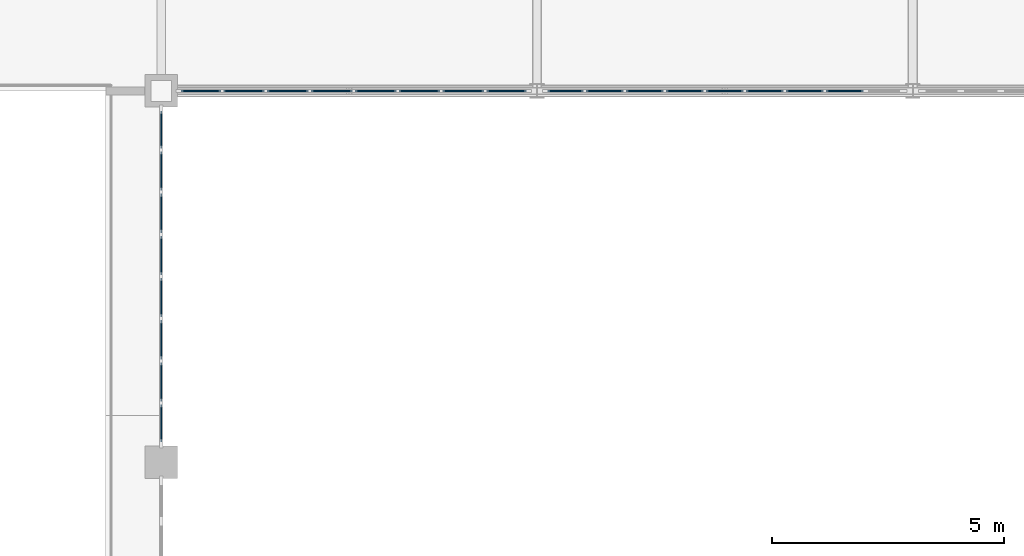
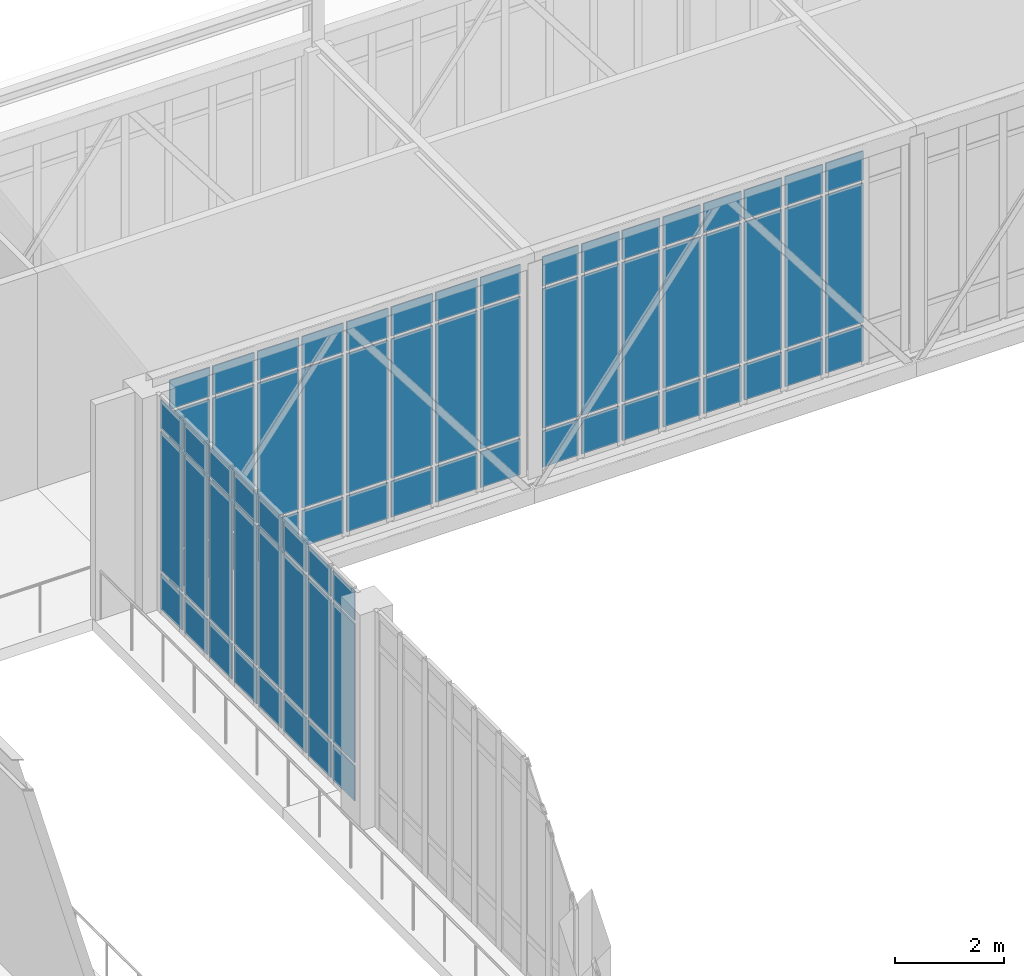
# One storey, part 72 of 107: 72 plates, 3 elements without a shape of their own.
"""IFC4 building model written with IfcOpenShell, lengths in metres."""

from ifc_helpers import new_model, si_unit, direction, frame, origin, origin_2d, place, context, subcontext, project, spatial, rectangle, extrude, material, layer, layer_set, type_object, element, aggregate, save


model = new_model("IFC4")

# Units and contexts
model_context = context("Model", 3, precision=1e-05, world=origin(), true_north=direction((0.0, 1.0)))
body_context = subcontext(model_context, "Body", "Model", "MODEL_VIEW")
ifc_project = project(units=[si_unit("LENGTHUNIT", "METRE"), si_unit("AREAUNIT", "SQUARE_METRE"), si_unit("VOLUMEUNIT", "CUBIC_METRE"), si_unit("PLANEANGLEUNIT", "RADIAN"), si_unit("MASSUNIT", "GRAM", prefix="KILO")], contexts=[model_context])

# Site, building, storey
site_placement = place(None, origin())
site = spatial("IfcSite", under=ifc_project, at=site_placement, CompositionType="ELEMENT")
building_placement = place(site_placement, origin())
building = spatial("IfcBuilding", under=site, at=building_placement, Name="Tarnveldt Square Police Headquarters", CompositionType="ELEMENT")
storey_placement = place(building_placement, frame((0.0, 0.0, 14.699951171875)))
storey = spatial("IfcBuildingStorey", under=building, at=storey_placement, Name="L03", CompositionType="ELEMENT", Elevation=14.699951171875)

# Curtain wall, plates
ifc_material = material(Name="Triple-glazed low-e laminated vision glass", Category="glass")
curtain_wall_type_1 = type_object("IfcCurtainWallType", Name="CW-WG-727x484", PredefinedType="USERDEFINED", material=ifc_material)
curtain_wall_1_placement = place(storey_placement, origin())
curtain_wall_1 = element("IfcCurtainWall", 1, at=curtain_wall_1_placement, inside=storey, type_object=curtain_wall_type_1, Name="L03 Curtain Wall CW-L03-080", ObjectType="GLAZED CURTAIN WALL", PredefinedType="USERDEFINED")
ifc_layer = layer(ifc_material, 0.028076171875)
ifc_layer_set = layer_set([ifc_layer], Name="Triple-glazed low-e laminated vision glass")
plate_type = type_object("IfcPlateType", Name="CWP-VIS-28", PredefinedType="CURTAIN_PANEL", material=ifc_layer_set)
plate_1_placement = place(storey_placement, frame((48.60009765625, 64.838134765625, 0.074951171875), z_axis=(0.0, 0.0, 1.0), x_axis=(0.0, 1.0, 0.0)))
plate_1 = element("IfcPlate", 2, at=plate_1_placement, type_object=plate_type, Name="CW-WG39 panel 1.1", PredefinedType="CURTAIN_PANEL", context=body_context, shape_type="SweptSolid", body=[
    extrude(rectangle(XDim=0.796142578125, YDim=0.028076171875, at=origin_2d()), origin(), (0.0, 0.0, 1.0), 0.78759765625),
])
plate_2_placement = place(storey_placement, frame((48.60009765625, 64.838134765625, 0.9375), z_axis=(0.0, 0.0, 1.0), x_axis=(0.0, 1.0, 0.0)))
plate_2 = element("IfcPlate", 3, at=plate_2_placement, type_object=plate_type, Name="CW-WG39 panel 1.2", PredefinedType="CURTAIN_PANEL", context=body_context, shape_type="SweptSolid", body=[
    extrude(rectangle(XDim=0.796142578125, YDim=0.028076171875, at=origin_2d()), origin(), (0.0, 0.0, 1.0), 3.114990234375),
])
plate_3_placement = place(storey_placement, frame((48.60009765625, 64.838134765625, 4.12744140625), z_axis=(0.0, 0.0, 1.0), x_axis=(0.0, 1.0, 0.0)))
plate_3 = element("IfcPlate", 4, at=plate_3_placement, type_object=plate_type, Name="CW-WG39 panel 1.3", PredefinedType="CURTAIN_PANEL", context=body_context, shape_type="SweptSolid", body=[
    extrude(rectangle(XDim=0.796142578125, YDim=0.028076171875, at=origin_2d()), origin(), (0.0, 0.0, 1.0), 0.637451171875),
])
plate_4_placement = place(storey_placement, frame((48.60009765625, 65.72802734375, 0.074951171875), z_axis=(0.0, 0.0, 1.0), x_axis=(0.0, 1.0, 0.0)))
plate_4 = element("IfcPlate", 5, at=plate_4_placement, type_object=plate_type, Name="CW-WG39 panel 2.1", PredefinedType="CURTAIN_PANEL", context=body_context, shape_type="SweptSolid", body=[
    extrude(rectangle(XDim=0.833740234375, YDim=0.028076171875, at=origin_2d()), origin(), (0.0, 0.0, 1.0), 0.78759765625),
])
plate_5_placement = place(storey_placement, frame((48.60009765625, 65.72802734375, 0.9375), z_axis=(0.0, 0.0, 1.0), x_axis=(0.0, 1.0, 0.0)))
plate_5 = element("IfcPlate", 6, at=plate_5_placement, type_object=plate_type, Name="CW-WG39 panel 2.2", PredefinedType="CURTAIN_PANEL", context=body_context, shape_type="SweptSolid", body=[
    extrude(rectangle(XDim=0.833740234375, YDim=0.028076171875, at=origin_2d()), origin(), (0.0, 0.0, 1.0), 3.114990234375),
])
plate_6_placement = place(storey_placement, frame((48.60009765625, 65.72802734375, 4.12744140625), z_axis=(0.0, 0.0, 1.0), x_axis=(0.0, 1.0, 0.0)))
plate_6 = element("IfcPlate", 7, at=plate_6_placement, type_object=plate_type, Name="CW-WG39 panel 2.3", PredefinedType="CURTAIN_PANEL", context=body_context, shape_type="SweptSolid", body=[
    extrude(rectangle(XDim=0.833740234375, YDim=0.028076171875, at=origin_2d()), origin(), (0.0, 0.0, 1.0), 0.637451171875),
])
plate_7_placement = place(storey_placement, frame((48.60009765625, 66.636962890625, 0.074951171875), z_axis=(0.0, 0.0, 1.0), x_axis=(0.0, 1.0, 0.0)))
plate_7 = element("IfcPlate", 8, at=plate_7_placement, type_object=plate_type, Name="CW-WG39 panel 3.1", PredefinedType="CURTAIN_PANEL", context=body_context, shape_type="SweptSolid", body=[
    extrude(rectangle(XDim=0.833740234375, YDim=0.028076171875, at=origin_2d()), origin(), (0.0, 0.0, 1.0), 0.78759765625),
])
plate_8_placement = place(storey_placement, frame((48.60009765625, 66.636962890625, 0.9375), z_axis=(0.0, 0.0, 1.0), x_axis=(0.0, 1.0, 0.0)))
plate_8 = element("IfcPlate", 9, at=plate_8_placement, type_object=plate_type, Name="CW-WG39 panel 3.2", PredefinedType="CURTAIN_PANEL", context=body_context, shape_type="SweptSolid", body=[
    extrude(rectangle(XDim=0.833740234375, YDim=0.028076171875, at=origin_2d()), origin(), (0.0, 0.0, 1.0), 3.114990234375),
])
plate_9_placement = place(storey_placement, frame((48.60009765625, 66.636962890625, 4.12744140625), z_axis=(0.0, 0.0, 1.0), x_axis=(0.0, 1.0, 0.0)))
plate_9 = element("IfcPlate", 10, at=plate_9_placement, type_object=plate_type, Name="CW-WG39 panel 3.3", PredefinedType="CURTAIN_PANEL", context=body_context, shape_type="SweptSolid", body=[
    extrude(rectangle(XDim=0.833740234375, YDim=0.028076171875, at=origin_2d()), origin(), (0.0, 0.0, 1.0), 0.637451171875),
])
plate_10_placement = place(storey_placement, frame((48.60009765625, 67.545654296875, 0.074951171875), z_axis=(0.0, 0.0, 1.0), x_axis=(0.0, 1.0, 0.0)))
plate_10 = element("IfcPlate", 11, at=plate_10_placement, type_object=plate_type, Name="CW-WG39 panel 4.1", PredefinedType="CURTAIN_PANEL", context=body_context, shape_type="SweptSolid", body=[
    extrude(rectangle(XDim=0.833740234375, YDim=0.028076171875, at=origin_2d()), origin(), (0.0, 0.0, 1.0), 0.78759765625),
])
plate_11_placement = place(storey_placement, frame((48.60009765625, 67.545654296875, 0.9375), z_axis=(0.0, 0.0, 1.0), x_axis=(0.0, 1.0, 0.0)))
plate_11 = element("IfcPlate", 12, at=plate_11_placement, type_object=plate_type, Name="CW-WG39 panel 4.2", PredefinedType="CURTAIN_PANEL", context=body_context, shape_type="SweptSolid", body=[
    extrude(rectangle(XDim=0.833740234375, YDim=0.028076171875, at=origin_2d()), origin(), (0.0, 0.0, 1.0), 3.114990234375),
])
plate_12_placement = place(storey_placement, frame((48.60009765625, 67.545654296875, 4.12744140625), z_axis=(0.0, 0.0, 1.0), x_axis=(0.0, 1.0, 0.0)))
plate_12 = element("IfcPlate", 13, at=plate_12_placement, type_object=plate_type, Name="CW-WG39 panel 4.3", PredefinedType="CURTAIN_PANEL", context=body_context, shape_type="SweptSolid", body=[
    extrude(rectangle(XDim=0.833740234375, YDim=0.028076171875, at=origin_2d()), origin(), (0.0, 0.0, 1.0), 0.637451171875),
])
plate_13_placement = place(storey_placement, frame((48.60009765625, 68.454345703125, 0.074951171875), z_axis=(0.0, 0.0, 1.0), x_axis=(0.0, 1.0, 0.0)))
plate_13 = element("IfcPlate", 14, at=plate_13_placement, type_object=plate_type, Name="CW-WG39 panel 5.1", PredefinedType="CURTAIN_PANEL", context=body_context, shape_type="SweptSolid", body=[
    extrude(rectangle(XDim=0.833740234375, YDim=0.028076171875, at=origin_2d()), origin(), (0.0, 0.0, 1.0), 0.78759765625),
])
plate_14_placement = place(storey_placement, frame((48.60009765625, 68.454345703125, 0.9375), z_axis=(0.0, 0.0, 1.0), x_axis=(0.0, 1.0, 0.0)))
plate_14 = element("IfcPlate", 15, at=plate_14_placement, type_object=plate_type, Name="CW-WG39 panel 5.2", PredefinedType="CURTAIN_PANEL", context=body_context, shape_type="SweptSolid", body=[
    extrude(rectangle(XDim=0.833740234375, YDim=0.028076171875, at=origin_2d()), origin(), (0.0, 0.0, 1.0), 3.114990234375),
])
plate_15_placement = place(storey_placement, frame((48.60009765625, 68.454345703125, 4.12744140625), z_axis=(0.0, 0.0, 1.0), x_axis=(0.0, 1.0, 0.0)))
plate_15 = element("IfcPlate", 16, at=plate_15_placement, type_object=plate_type, Name="CW-WG39 panel 5.3", PredefinedType="CURTAIN_PANEL", context=body_context, shape_type="SweptSolid", body=[
    extrude(rectangle(XDim=0.833740234375, YDim=0.028076171875, at=origin_2d()), origin(), (0.0, 0.0, 1.0), 0.637451171875),
])
plate_16_placement = place(storey_placement, frame((48.60009765625, 69.363037109375, 0.074951171875), z_axis=(0.0, 0.0, 1.0), x_axis=(0.0, 1.0, 0.0)))
plate_16 = element("IfcPlate", 17, at=plate_16_placement, type_object=plate_type, Name="CW-WG39 panel 6.1", PredefinedType="CURTAIN_PANEL", context=body_context, shape_type="SweptSolid", body=[
    extrude(rectangle(XDim=0.833740234375, YDim=0.028076171875, at=origin_2d()), origin(), (0.0, 0.0, 1.0), 0.78759765625),
])
plate_17_placement = place(storey_placement, frame((48.60009765625, 69.363037109375, 0.9375), z_axis=(0.0, 0.0, 1.0), x_axis=(0.0, 1.0, 0.0)))
plate_17 = element("IfcPlate", 18, at=plate_17_placement, type_object=plate_type, Name="CW-WG39 panel 6.2", PredefinedType="CURTAIN_PANEL", context=body_context, shape_type="SweptSolid", body=[
    extrude(rectangle(XDim=0.833740234375, YDim=0.028076171875, at=origin_2d()), origin(), (0.0, 0.0, 1.0), 3.114990234375),
])
plate_18_placement = place(storey_placement, frame((48.60009765625, 69.363037109375, 4.12744140625), z_axis=(0.0, 0.0, 1.0), x_axis=(0.0, 1.0, 0.0)))
plate_18 = element("IfcPlate", 19, at=plate_18_placement, type_object=plate_type, Name="CW-WG39 panel 6.3", PredefinedType="CURTAIN_PANEL", context=body_context, shape_type="SweptSolid", body=[
    extrude(rectangle(XDim=0.833740234375, YDim=0.028076171875, at=origin_2d()), origin(), (0.0, 0.0, 1.0), 0.637451171875),
])
plate_19_placement = place(storey_placement, frame((48.60009765625, 70.27197265625, 0.074951171875), z_axis=(0.0, 0.0, 1.0), x_axis=(0.0, 1.0, 0.0)))
plate_19 = element("IfcPlate", 20, at=plate_19_placement, type_object=plate_type, Name="CW-WG39 panel 7.1", PredefinedType="CURTAIN_PANEL", context=body_context, shape_type="SweptSolid", body=[
    extrude(rectangle(XDim=0.833740234375, YDim=0.028076171875, at=origin_2d()), origin(), (0.0, 0.0, 1.0), 0.78759765625),
])
plate_20_placement = place(storey_placement, frame((48.60009765625, 70.27197265625, 0.9375), z_axis=(0.0, 0.0, 1.0), x_axis=(0.0, 1.0, 0.0)))
plate_20 = element("IfcPlate", 21, at=plate_20_placement, type_object=plate_type, Name="CW-WG39 panel 7.2", PredefinedType="CURTAIN_PANEL", context=body_context, shape_type="SweptSolid", body=[
    extrude(rectangle(XDim=0.833740234375, YDim=0.028076171875, at=origin_2d()), origin(), (0.0, 0.0, 1.0), 3.114990234375),
])
plate_21_placement = place(storey_placement, frame((48.60009765625, 70.27197265625, 4.12744140625), z_axis=(0.0, 0.0, 1.0), x_axis=(0.0, 1.0, 0.0)))
plate_21 = element("IfcPlate", 22, at=plate_21_placement, type_object=plate_type, Name="CW-WG39 panel 7.3", PredefinedType="CURTAIN_PANEL", context=body_context, shape_type="SweptSolid", body=[
    extrude(rectangle(XDim=0.833740234375, YDim=0.028076171875, at=origin_2d()), origin(), (0.0, 0.0, 1.0), 0.637451171875),
])
plate_22_placement = place(storey_placement, frame((48.60009765625, 71.161865234375, 0.074951171875), z_axis=(0.0, 0.0, 1.0), x_axis=(0.0, 1.0, 0.0)))
plate_22 = element("IfcPlate", 23, at=plate_22_placement, type_object=plate_type, Name="CW-WG39 panel 8.1", PredefinedType="CURTAIN_PANEL", context=body_context, shape_type="SweptSolid", body=[
    extrude(rectangle(XDim=0.796142578125, YDim=0.028076171875, at=origin_2d()), origin(), (0.0, 0.0, 1.0), 0.78759765625),
])
plate_23_placement = place(storey_placement, frame((48.60009765625, 71.161865234375, 0.9375), z_axis=(0.0, 0.0, 1.0), x_axis=(0.0, 1.0, 0.0)))
plate_23 = element("IfcPlate", 24, at=plate_23_placement, type_object=plate_type, Name="CW-WG39 panel 8.2", PredefinedType="CURTAIN_PANEL", context=body_context, shape_type="SweptSolid", body=[
    extrude(rectangle(XDim=0.796142578125, YDim=0.028076171875, at=origin_2d()), origin(), (0.0, 0.0, 1.0), 3.114990234375),
])
plate_24_placement = place(storey_placement, frame((48.60009765625, 71.161865234375, 4.12744140625), z_axis=(0.0, 0.0, 1.0), x_axis=(0.0, 1.0, 0.0)))
plate_24 = element("IfcPlate", 25, at=plate_24_placement, type_object=plate_type, Name="CW-WG39 panel 8.3", PredefinedType="CURTAIN_PANEL", context=body_context, shape_type="SweptSolid", body=[
    extrude(rectangle(XDim=0.796142578125, YDim=0.028076171875, at=origin_2d()), origin(), (0.0, 0.0, 1.0), 0.637451171875),
])
aggregate(curtain_wall_1, [plate_1, plate_2, plate_3, plate_4, plate_5, plate_6, plate_7, plate_8, plate_9, plate_10, plate_11, plate_12, plate_13, plate_14, plate_15, plate_16, plate_17, plate_18, plate_19, plate_20, plate_21, plate_22, plate_23, plate_24])

curtain_wall_type_2 = type_object("IfcCurtainWallType", Name="CW-SB-757x484", PredefinedType="USERDEFINED", material=ifc_material)
curtain_wall_2_placement = place(storey_placement, origin())
curtain_wall_2 = element("IfcCurtainWall", 26, at=curtain_wall_2_placement, inside=storey, type_object=curtain_wall_type_2, Name="L03 Curtain Wall CW-L03-152", ObjectType="GLAZED CURTAIN WALL", PredefinedType="USERDEFINED")
plate_25_placement = place(storey_placement, frame((49.4541015625, 72.0, 0.06494140625), z_axis=(0.0, 0.0, 1.0), x_axis=(1.0, 0.0, 0.0)))
plate_25 = element("IfcPlate", 27, at=plate_25_placement, type_object=plate_type, Name="CW-SB89 panel 1.1", PredefinedType="CURTAIN_PANEL", context=body_context, shape_type="SweptSolid", body=[
    extrude(rectangle(XDim=0.84814453125, YDim=0.028076171875, at=origin_2d()), origin(), (0.0, 0.0, 1.0), 0.802490234375),
])
plate_26_placement = place(storey_placement, frame((49.4541015625, 72.0, 0.9326171875), z_axis=(0.0, 0.0, 1.0), x_axis=(1.0, 0.0, 0.0)))
plate_26 = element("IfcPlate", 28, at=plate_26_placement, type_object=plate_type, Name="CW-SB89 panel 1.2", PredefinedType="CURTAIN_PANEL", context=body_context, shape_type="SweptSolid", body=[
    extrude(rectangle(XDim=0.84814453125, YDim=0.028076171875, at=origin_2d()), origin(), (0.0, 0.0, 1.0), 3.125),
])
plate_27_placement = place(storey_placement, frame((49.4541015625, 72.0, 4.12255859375), z_axis=(0.0, 0.0, 1.0), x_axis=(1.0, 0.0, 0.0)))
plate_27 = element("IfcPlate", 29, at=plate_27_placement, type_object=plate_type, Name="CW-SB89 panel 1.3", PredefinedType="CURTAIN_PANEL", context=body_context, shape_type="SweptSolid", body=[
    extrude(rectangle(XDim=0.84814453125, YDim=0.028076171875, at=origin_2d()), origin(), (0.0, 0.0, 1.0), 0.652587890625),
])
plate_28_placement = place(storey_placement, frame((50.383544921875, 72.0, 0.06494140625), z_axis=(0.0, 0.0, 1.0), x_axis=(1.0, 0.0, 0.0)))
plate_28 = element("IfcPlate", 30, at=plate_28_placement, type_object=plate_type, Name="CW-SB89 panel 2.1", PredefinedType="CURTAIN_PANEL", context=body_context, shape_type="SweptSolid", body=[
    extrude(rectangle(XDim=0.880859375, YDim=0.028076171875, at=origin_2d()), origin(), (0.0, 0.0, 1.0), 0.802490234375),
])
plate_29_placement = place(storey_placement, frame((50.383544921875, 72.0, 0.9326171875), z_axis=(0.0, 0.0, 1.0), x_axis=(1.0, 0.0, 0.0)))
plate_29 = element("IfcPlate", 31, at=plate_29_placement, type_object=plate_type, Name="CW-SB89 panel 2.2", PredefinedType="CURTAIN_PANEL", context=body_context, shape_type="SweptSolid", body=[
    extrude(rectangle(XDim=0.880859375, YDim=0.028076171875, at=origin_2d()), origin(), (0.0, 0.0, 1.0), 3.125),
])
plate_30_placement = place(storey_placement, frame((50.383544921875, 72.0, 4.12255859375), z_axis=(0.0, 0.0, 1.0), x_axis=(1.0, 0.0, 0.0)))
plate_30 = element("IfcPlate", 32, at=plate_30_placement, type_object=plate_type, Name="CW-SB89 panel 2.3", PredefinedType="CURTAIN_PANEL", context=body_context, shape_type="SweptSolid", body=[
    extrude(rectangle(XDim=0.880859375, YDim=0.028076171875, at=origin_2d()), origin(), (0.0, 0.0, 1.0), 0.652587890625),
])
plate_31_placement = place(storey_placement, frame((51.329345703125, 72.0, 0.06494140625), z_axis=(0.0, 0.0, 1.0), x_axis=(1.0, 0.0, 0.0)))
plate_31 = element("IfcPlate", 33, at=plate_31_placement, type_object=plate_type, Name="CW-SB89 panel 3.1", PredefinedType="CURTAIN_PANEL", context=body_context, shape_type="SweptSolid", body=[
    extrude(rectangle(XDim=0.880859375, YDim=0.028076171875, at=origin_2d()), origin(), (0.0, 0.0, 1.0), 0.802490234375),
])
plate_32_placement = place(storey_placement, frame((51.329345703125, 72.0, 0.9326171875), z_axis=(0.0, 0.0, 1.0), x_axis=(1.0, 0.0, 0.0)))
plate_32 = element("IfcPlate", 34, at=plate_32_placement, type_object=plate_type, Name="CW-SB89 panel 3.2", PredefinedType="CURTAIN_PANEL", context=body_context, shape_type="SweptSolid", body=[
    extrude(rectangle(XDim=0.880859375, YDim=0.028076171875, at=origin_2d()), origin(), (0.0, 0.0, 1.0), 3.125),
])
plate_33_placement = place(storey_placement, frame((51.329345703125, 72.0, 4.12255859375), z_axis=(0.0, 0.0, 1.0), x_axis=(1.0, 0.0, 0.0)))
plate_33 = element("IfcPlate", 35, at=plate_33_placement, type_object=plate_type, Name="CW-SB89 panel 3.3", PredefinedType="CURTAIN_PANEL", context=body_context, shape_type="SweptSolid", body=[
    extrude(rectangle(XDim=0.880859375, YDim=0.028076171875, at=origin_2d()), origin(), (0.0, 0.0, 1.0), 0.652587890625),
])
plate_34_placement = place(storey_placement, frame((52.275146484375, 72.0, 0.06494140625), z_axis=(0.0, 0.0, 1.0), x_axis=(1.0, 0.0, 0.0)))
plate_34 = element("IfcPlate", 36, at=plate_34_placement, type_object=plate_type, Name="CW-SB89 panel 4.1", PredefinedType="CURTAIN_PANEL", context=body_context, shape_type="SweptSolid", body=[
    extrude(rectangle(XDim=0.880859375, YDim=0.028076171875, at=origin_2d()), origin(), (0.0, 0.0, 1.0), 0.802490234375),
])
plate_35_placement = place(storey_placement, frame((52.275146484375, 72.0, 0.9326171875), z_axis=(0.0, 0.0, 1.0), x_axis=(1.0, 0.0, 0.0)))
plate_35 = element("IfcPlate", 37, at=plate_35_placement, type_object=plate_type, Name="CW-SB89 panel 4.2", PredefinedType="CURTAIN_PANEL", context=body_context, shape_type="SweptSolid", body=[
    extrude(rectangle(XDim=0.880859375, YDim=0.028076171875, at=origin_2d()), origin(), (0.0, 0.0, 1.0), 3.125),
])
plate_36_placement = place(storey_placement, frame((52.275146484375, 72.0, 4.12255859375), z_axis=(0.0, 0.0, 1.0), x_axis=(1.0, 0.0, 0.0)))
plate_36 = element("IfcPlate", 38, at=plate_36_placement, type_object=plate_type, Name="CW-SB89 panel 4.3", PredefinedType="CURTAIN_PANEL", context=body_context, shape_type="SweptSolid", body=[
    extrude(rectangle(XDim=0.880859375, YDim=0.028076171875, at=origin_2d()), origin(), (0.0, 0.0, 1.0), 0.652587890625),
])
plate_37_placement = place(storey_placement, frame((53.220947265625, 72.0, 0.06494140625), z_axis=(0.0, 0.0, 1.0), x_axis=(1.0, 0.0, 0.0)))
plate_37 = element("IfcPlate", 39, at=plate_37_placement, type_object=plate_type, Name="CW-SB89 panel 5.1", PredefinedType="CURTAIN_PANEL", context=body_context, shape_type="SweptSolid", body=[
    extrude(rectangle(XDim=0.880859375, YDim=0.028076171875, at=origin_2d()), origin(), (0.0, 0.0, 1.0), 0.802490234375),
])
plate_38_placement = place(storey_placement, frame((53.220947265625, 72.0, 0.9326171875), z_axis=(0.0, 0.0, 1.0), x_axis=(1.0, 0.0, 0.0)))
plate_38 = element("IfcPlate", 40, at=plate_38_placement, type_object=plate_type, Name="CW-SB89 panel 5.2", PredefinedType="CURTAIN_PANEL", context=body_context, shape_type="SweptSolid", body=[
    extrude(rectangle(XDim=0.880859375, YDim=0.028076171875, at=origin_2d()), origin(), (0.0, 0.0, 1.0), 3.125),
])
plate_39_placement = place(storey_placement, frame((53.220947265625, 72.0, 4.12255859375), z_axis=(0.0, 0.0, 1.0), x_axis=(1.0, 0.0, 0.0)))
plate_39 = element("IfcPlate", 41, at=plate_39_placement, type_object=plate_type, Name="CW-SB89 panel 5.3", PredefinedType="CURTAIN_PANEL", context=body_context, shape_type="SweptSolid", body=[
    extrude(rectangle(XDim=0.880859375, YDim=0.028076171875, at=origin_2d()), origin(), (0.0, 0.0, 1.0), 0.652587890625),
])
plate_40_placement = place(storey_placement, frame((54.16650390625, 72.0, 0.06494140625), z_axis=(0.0, 0.0, 1.0), x_axis=(1.0, 0.0, 0.0)))
plate_40 = element("IfcPlate", 42, at=plate_40_placement, type_object=plate_type, Name="CW-SB89 panel 6.1", PredefinedType="CURTAIN_PANEL", context=body_context, shape_type="SweptSolid", body=[
    extrude(rectangle(XDim=0.880859375, YDim=0.028076171875, at=origin_2d()), origin(), (0.0, 0.0, 1.0), 0.802490234375),
])
plate_41_placement = place(storey_placement, frame((54.16650390625, 72.0, 0.9326171875), z_axis=(0.0, 0.0, 1.0), x_axis=(1.0, 0.0, 0.0)))
plate_41 = element("IfcPlate", 43, at=plate_41_placement, type_object=plate_type, Name="CW-SB89 panel 6.2", PredefinedType="CURTAIN_PANEL", context=body_context, shape_type="SweptSolid", body=[
    extrude(rectangle(XDim=0.880859375, YDim=0.028076171875, at=origin_2d()), origin(), (0.0, 0.0, 1.0), 3.125),
])
plate_42_placement = place(storey_placement, frame((54.16650390625, 72.0, 4.12255859375), z_axis=(0.0, 0.0, 1.0), x_axis=(1.0, 0.0, 0.0)))
plate_42 = element("IfcPlate", 44, at=plate_42_placement, type_object=plate_type, Name="CW-SB89 panel 6.3", PredefinedType="CURTAIN_PANEL", context=body_context, shape_type="SweptSolid", body=[
    extrude(rectangle(XDim=0.880859375, YDim=0.028076171875, at=origin_2d()), origin(), (0.0, 0.0, 1.0), 0.652587890625),
])
plate_43_placement = place(storey_placement, frame((55.1123046875, 72.0, 0.06494140625), z_axis=(0.0, 0.0, 1.0), x_axis=(1.0, 0.0, 0.0)))
plate_43 = element("IfcPlate", 45, at=plate_43_placement, type_object=plate_type, Name="CW-SB89 panel 7.1", PredefinedType="CURTAIN_PANEL", context=body_context, shape_type="SweptSolid", body=[
    extrude(rectangle(XDim=0.880859375, YDim=0.028076171875, at=origin_2d()), origin(), (0.0, 0.0, 1.0), 0.802490234375),
])
plate_44_placement = place(storey_placement, frame((55.1123046875, 72.0, 0.9326171875), z_axis=(0.0, 0.0, 1.0), x_axis=(1.0, 0.0, 0.0)))
plate_44 = element("IfcPlate", 46, at=plate_44_placement, type_object=plate_type, Name="CW-SB89 panel 7.2", PredefinedType="CURTAIN_PANEL", context=body_context, shape_type="SweptSolid", body=[
    extrude(rectangle(XDim=0.880859375, YDim=0.028076171875, at=origin_2d()), origin(), (0.0, 0.0, 1.0), 3.125),
])
plate_45_placement = place(storey_placement, frame((55.1123046875, 72.0, 4.12255859375), z_axis=(0.0, 0.0, 1.0), x_axis=(1.0, 0.0, 0.0)))
plate_45 = element("IfcPlate", 47, at=plate_45_placement, type_object=plate_type, Name="CW-SB89 panel 7.3", PredefinedType="CURTAIN_PANEL", context=body_context, shape_type="SweptSolid", body=[
    extrude(rectangle(XDim=0.880859375, YDim=0.028076171875, at=origin_2d()), origin(), (0.0, 0.0, 1.0), 0.652587890625),
])
plate_46_placement = place(storey_placement, frame((56.0419921875, 72.0, 0.06494140625), z_axis=(0.0, 0.0, 1.0), x_axis=(1.0, 0.0, 0.0)))
plate_46 = element("IfcPlate", 48, at=plate_46_placement, type_object=plate_type, Name="CW-SB89 panel 8.1", PredefinedType="CURTAIN_PANEL", context=body_context, shape_type="SweptSolid", body=[
    extrude(rectangle(XDim=0.84814453125, YDim=0.028076171875, at=origin_2d()), origin(), (0.0, 0.0, 1.0), 0.802490234375),
])
plate_47_placement = place(storey_placement, frame((56.0419921875, 72.0, 0.9326171875), z_axis=(0.0, 0.0, 1.0), x_axis=(1.0, 0.0, 0.0)))
plate_47 = element("IfcPlate", 49, at=plate_47_placement, type_object=plate_type, Name="CW-SB89 panel 8.2", PredefinedType="CURTAIN_PANEL", context=body_context, shape_type="SweptSolid", body=[
    extrude(rectangle(XDim=0.84814453125, YDim=0.028076171875, at=origin_2d()), origin(), (0.0, 0.0, 1.0), 3.125),
])
plate_48_placement = place(storey_placement, frame((56.0419921875, 72.0, 4.12255859375), z_axis=(0.0, 0.0, 1.0), x_axis=(1.0, 0.0, 0.0)))
plate_48 = element("IfcPlate", 50, at=plate_48_placement, type_object=plate_type, Name="CW-SB89 panel 8.3", PredefinedType="CURTAIN_PANEL", context=body_context, shape_type="SweptSolid", body=[
    extrude(rectangle(XDim=0.84814453125, YDim=0.028076171875, at=origin_2d()), origin(), (0.0, 0.0, 1.0), 0.652587890625),
])
aggregate(curtain_wall_2, [plate_25, plate_26, plate_27, plate_28, plate_29, plate_30, plate_31, plate_32, plate_33, plate_34, plate_35, plate_36, plate_37, plate_38, plate_39, plate_40, plate_41, plate_42, plate_43, plate_44, plate_45, plate_46, plate_47, plate_48])

curtain_wall_type_3 = type_object("IfcCurtainWallType", Name="CW-SB-776x484", PredefinedType="USERDEFINED", material=ifc_material)
curtain_wall_3_placement = place(storey_placement, origin())
curtain_wall_3 = element("IfcCurtainWall", 51, at=curtain_wall_3_placement, inside=storey, type_object=curtain_wall_type_3, Name="L03 Curtain Wall CW-L03-153", ObjectType="GLAZED CURTAIN WALL", PredefinedType="USERDEFINED")
plate_49_placement = place(storey_placement, frame((57.31640625, 72.0, 0.06494140625), z_axis=(0.0, 0.0, 1.0), x_axis=(1.0, 0.0, 0.0)))
plate_49 = element("IfcPlate", 52, at=plate_49_placement, type_object=plate_type, Name="CW-SB90 panel 1.1", PredefinedType="CURTAIN_PANEL", context=body_context, shape_type="SweptSolid", body=[
    extrude(rectangle(XDim=0.764892578125, YDim=0.028076171875, at=origin_2d()), origin(), (0.0, 0.0, 1.0), 0.802490234375),
])
plate_50_placement = place(storey_placement, frame((57.31640625, 72.0, 0.9326171875), z_axis=(0.0, 0.0, 1.0), x_axis=(1.0, 0.0, 0.0)))
plate_50 = element("IfcPlate", 53, at=plate_50_placement, type_object=plate_type, Name="CW-SB90 panel 1.2", PredefinedType="CURTAIN_PANEL", context=body_context, shape_type="SweptSolid", body=[
    extrude(rectangle(XDim=0.764892578125, YDim=0.028076171875, at=origin_2d()), origin(), (0.0, 0.0, 1.0), 3.125),
])
plate_51_placement = place(storey_placement, frame((57.31640625, 72.0, 4.12255859375), z_axis=(0.0, 0.0, 1.0), x_axis=(1.0, 0.0, 0.0)))
plate_51 = element("IfcPlate", 54, at=plate_51_placement, type_object=plate_type, Name="CW-SB90 panel 1.3", PredefinedType="CURTAIN_PANEL", context=body_context, shape_type="SweptSolid", body=[
    extrude(rectangle(XDim=0.764892578125, YDim=0.028076171875, at=origin_2d()), origin(), (0.0, 0.0, 1.0), 0.652587890625),
])
plate_52_placement = place(storey_placement, frame((58.16259765625, 72.0, 0.06494140625), z_axis=(0.0, 0.0, 1.0), x_axis=(1.0, 0.0, 0.0)))
plate_52 = element("IfcPlate", 55, at=plate_52_placement, type_object=plate_type, Name="CW-SB90 panel 2.1", PredefinedType="CURTAIN_PANEL", context=body_context, shape_type="SweptSolid", body=[
    extrude(rectangle(XDim=0.79736328125, YDim=0.028076171875, at=origin_2d()), origin(), (0.0, 0.0, 1.0), 0.802490234375),
])
plate_53_placement = place(storey_placement, frame((58.16259765625, 72.0, 0.9326171875), z_axis=(0.0, 0.0, 1.0), x_axis=(1.0, 0.0, 0.0)))
plate_53 = element("IfcPlate", 56, at=plate_53_placement, type_object=plate_type, Name="CW-SB90 panel 2.2", PredefinedType="CURTAIN_PANEL", context=body_context, shape_type="SweptSolid", body=[
    extrude(rectangle(XDim=0.79736328125, YDim=0.028076171875, at=origin_2d()), origin(), (0.0, 0.0, 1.0), 3.125),
])
plate_54_placement = place(storey_placement, frame((58.16259765625, 72.0, 4.12255859375), z_axis=(0.0, 0.0, 1.0), x_axis=(1.0, 0.0, 0.0)))
plate_54 = element("IfcPlate", 57, at=plate_54_placement, type_object=plate_type, Name="CW-SB90 panel 2.3", PredefinedType="CURTAIN_PANEL", context=body_context, shape_type="SweptSolid", body=[
    extrude(rectangle(XDim=0.79736328125, YDim=0.028076171875, at=origin_2d()), origin(), (0.0, 0.0, 1.0), 0.652587890625),
])
plate_55_placement = place(storey_placement, frame((59.025146484375, 72.0, 0.06494140625), z_axis=(0.0, 0.0, 1.0), x_axis=(1.0, 0.0, 0.0)))
plate_55 = element("IfcPlate", 58, at=plate_55_placement, type_object=plate_type, Name="CW-SB90 panel 3.1", PredefinedType="CURTAIN_PANEL", context=body_context, shape_type="SweptSolid", body=[
    extrude(rectangle(XDim=0.79736328125, YDim=0.028076171875, at=origin_2d()), origin(), (0.0, 0.0, 1.0), 0.802490234375),
])
plate_56_placement = place(storey_placement, frame((59.025146484375, 72.0, 0.9326171875), z_axis=(0.0, 0.0, 1.0), x_axis=(1.0, 0.0, 0.0)))
plate_56 = element("IfcPlate", 59, at=plate_56_placement, type_object=plate_type, Name="CW-SB90 panel 3.2", PredefinedType="CURTAIN_PANEL", context=body_context, shape_type="SweptSolid", body=[
    extrude(rectangle(XDim=0.79736328125, YDim=0.028076171875, at=origin_2d()), origin(), (0.0, 0.0, 1.0), 3.125),
])
plate_57_placement = place(storey_placement, frame((59.025146484375, 72.0, 4.12255859375), z_axis=(0.0, 0.0, 1.0), x_axis=(1.0, 0.0, 0.0)))
plate_57 = element("IfcPlate", 60, at=plate_57_placement, type_object=plate_type, Name="CW-SB90 panel 3.3", PredefinedType="CURTAIN_PANEL", context=body_context, shape_type="SweptSolid", body=[
    extrude(rectangle(XDim=0.79736328125, YDim=0.028076171875, at=origin_2d()), origin(), (0.0, 0.0, 1.0), 0.652587890625),
])
plate_58_placement = place(storey_placement, frame((59.887451171875, 72.0, 0.06494140625), z_axis=(0.0, 0.0, 1.0), x_axis=(1.0, 0.0, 0.0)))
plate_58 = element("IfcPlate", 61, at=plate_58_placement, type_object=plate_type, Name="CW-SB90 panel 4.1", PredefinedType="CURTAIN_PANEL", context=body_context, shape_type="SweptSolid", body=[
    extrude(rectangle(XDim=0.79736328125, YDim=0.028076171875, at=origin_2d()), origin(), (0.0, 0.0, 1.0), 0.802490234375),
])
plate_59_placement = place(storey_placement, frame((59.887451171875, 72.0, 0.9326171875), z_axis=(0.0, 0.0, 1.0), x_axis=(1.0, 0.0, 0.0)))
plate_59 = element("IfcPlate", 62, at=plate_59_placement, type_object=plate_type, Name="CW-SB90 panel 4.2", PredefinedType="CURTAIN_PANEL", context=body_context, shape_type="SweptSolid", body=[
    extrude(rectangle(XDim=0.79736328125, YDim=0.028076171875, at=origin_2d()), origin(), (0.0, 0.0, 1.0), 3.125),
])
plate_60_placement = place(storey_placement, frame((59.887451171875, 72.0, 4.12255859375), z_axis=(0.0, 0.0, 1.0), x_axis=(1.0, 0.0, 0.0)))
plate_60 = element("IfcPlate", 63, at=plate_60_placement, type_object=plate_type, Name="CW-SB90 panel 4.3", PredefinedType="CURTAIN_PANEL", context=body_context, shape_type="SweptSolid", body=[
    extrude(rectangle(XDim=0.79736328125, YDim=0.028076171875, at=origin_2d()), origin(), (0.0, 0.0, 1.0), 0.652587890625),
])
plate_61_placement = place(storey_placement, frame((60.75, 72.0, 0.06494140625), z_axis=(0.0, 0.0, 1.0), x_axis=(1.0, 0.0, 0.0)))
plate_61 = element("IfcPlate", 64, at=plate_61_placement, type_object=plate_type, Name="CW-SB90 panel 5.1", PredefinedType="CURTAIN_PANEL", context=body_context, shape_type="SweptSolid", body=[
    extrude(rectangle(XDim=0.79736328125, YDim=0.028076171875, at=origin_2d()), origin(), (0.0, 0.0, 1.0), 0.802490234375),
])
plate_62_placement = place(storey_placement, frame((60.75, 72.0, 0.9326171875), z_axis=(0.0, 0.0, 1.0), x_axis=(1.0, 0.0, 0.0)))
plate_62 = element("IfcPlate", 65, at=plate_62_placement, type_object=plate_type, Name="CW-SB90 panel 5.2", PredefinedType="CURTAIN_PANEL", context=body_context, shape_type="SweptSolid", body=[
    extrude(rectangle(XDim=0.79736328125, YDim=0.028076171875, at=origin_2d()), origin(), (0.0, 0.0, 1.0), 3.125),
])
plate_63_placement = place(storey_placement, frame((60.75, 72.0, 4.12255859375), z_axis=(0.0, 0.0, 1.0), x_axis=(1.0, 0.0, 0.0)))
plate_63 = element("IfcPlate", 66, at=plate_63_placement, type_object=plate_type, Name="CW-SB90 panel 5.3", PredefinedType="CURTAIN_PANEL", context=body_context, shape_type="SweptSolid", body=[
    extrude(rectangle(XDim=0.79736328125, YDim=0.028076171875, at=origin_2d()), origin(), (0.0, 0.0, 1.0), 0.652587890625),
])
plate_64_placement = place(storey_placement, frame((61.612548828125, 72.0, 0.06494140625), z_axis=(0.0, 0.0, 1.0), x_axis=(1.0, 0.0, 0.0)))
plate_64 = element("IfcPlate", 67, at=plate_64_placement, type_object=plate_type, Name="CW-SB90 panel 6.1", PredefinedType="CURTAIN_PANEL", context=body_context, shape_type="SweptSolid", body=[
    extrude(rectangle(XDim=0.79736328125, YDim=0.028076171875, at=origin_2d()), origin(), (0.0, 0.0, 1.0), 0.802490234375),
])
plate_65_placement = place(storey_placement, frame((61.612548828125, 72.0, 0.9326171875), z_axis=(0.0, 0.0, 1.0), x_axis=(1.0, 0.0, 0.0)))
plate_65 = element("IfcPlate", 68, at=plate_65_placement, type_object=plate_type, Name="CW-SB90 panel 6.2", PredefinedType="CURTAIN_PANEL", context=body_context, shape_type="SweptSolid", body=[
    extrude(rectangle(XDim=0.79736328125, YDim=0.028076171875, at=origin_2d()), origin(), (0.0, 0.0, 1.0), 3.125),
])
plate_66_placement = place(storey_placement, frame((61.612548828125, 72.0, 4.12255859375), z_axis=(0.0, 0.0, 1.0), x_axis=(1.0, 0.0, 0.0)))
plate_66 = element("IfcPlate", 69, at=plate_66_placement, type_object=plate_type, Name="CW-SB90 panel 6.3", PredefinedType="CURTAIN_PANEL", context=body_context, shape_type="SweptSolid", body=[
    extrude(rectangle(XDim=0.79736328125, YDim=0.028076171875, at=origin_2d()), origin(), (0.0, 0.0, 1.0), 0.652587890625),
])
plate_67_placement = place(storey_placement, frame((62.474853515625, 72.0, 0.06494140625), z_axis=(0.0, 0.0, 1.0), x_axis=(1.0, 0.0, 0.0)))
plate_67 = element("IfcPlate", 70, at=plate_67_placement, type_object=plate_type, Name="CW-SB90 panel 7.1", PredefinedType="CURTAIN_PANEL", context=body_context, shape_type="SweptSolid", body=[
    extrude(rectangle(XDim=0.79736328125, YDim=0.028076171875, at=origin_2d()), origin(), (0.0, 0.0, 1.0), 0.802490234375),
])
plate_68_placement = place(storey_placement, frame((62.474853515625, 72.0, 0.9326171875), z_axis=(0.0, 0.0, 1.0), x_axis=(1.0, 0.0, 0.0)))
plate_68 = element("IfcPlate", 71, at=plate_68_placement, type_object=plate_type, Name="CW-SB90 panel 7.2", PredefinedType="CURTAIN_PANEL", context=body_context, shape_type="SweptSolid", body=[
    extrude(rectangle(XDim=0.79736328125, YDim=0.028076171875, at=origin_2d()), origin(), (0.0, 0.0, 1.0), 3.125),
])
plate_69_placement = place(storey_placement, frame((62.474853515625, 72.0, 4.12255859375), z_axis=(0.0, 0.0, 1.0), x_axis=(1.0, 0.0, 0.0)))
plate_69 = element("IfcPlate", 72, at=plate_69_placement, type_object=plate_type, Name="CW-SB90 panel 7.3", PredefinedType="CURTAIN_PANEL", context=body_context, shape_type="SweptSolid", body=[
    extrude(rectangle(XDim=0.79736328125, YDim=0.028076171875, at=origin_2d()), origin(), (0.0, 0.0, 1.0), 0.652587890625),
])
plate_70_placement = place(storey_placement, frame((63.33740234375, 72.0, 0.06494140625), z_axis=(0.0, 0.0, 1.0), x_axis=(1.0, 0.0, 0.0)))
plate_70 = element("IfcPlate", 73, at=plate_70_placement, type_object=plate_type, Name="CW-SB90 panel 8.1", PredefinedType="CURTAIN_PANEL", context=body_context, shape_type="SweptSolid", body=[
    extrude(rectangle(XDim=0.79736328125, YDim=0.028076171875, at=origin_2d()), origin(), (0.0, 0.0, 1.0), 0.802490234375),
])
plate_71_placement = place(storey_placement, frame((63.33740234375, 72.0, 0.9326171875), z_axis=(0.0, 0.0, 1.0), x_axis=(1.0, 0.0, 0.0)))
plate_71 = element("IfcPlate", 74, at=plate_71_placement, type_object=plate_type, Name="CW-SB90 panel 8.2", PredefinedType="CURTAIN_PANEL", context=body_context, shape_type="SweptSolid", body=[
    extrude(rectangle(XDim=0.79736328125, YDim=0.028076171875, at=origin_2d()), origin(), (0.0, 0.0, 1.0), 3.125),
])
plate_72_placement = place(storey_placement, frame((63.33740234375, 72.0, 4.12255859375), z_axis=(0.0, 0.0, 1.0), x_axis=(1.0, 0.0, 0.0)))
plate_72 = element("IfcPlate", 75, at=plate_72_placement, type_object=plate_type, Name="CW-SB90 panel 8.3", PredefinedType="CURTAIN_PANEL", context=body_context, shape_type="SweptSolid", body=[
    extrude(rectangle(XDim=0.79736328125, YDim=0.028076171875, at=origin_2d()), origin(), (0.0, 0.0, 1.0), 0.652587890625),
])
aggregate(curtain_wall_3, [plate_49, plate_50, plate_51, plate_52, plate_53, plate_54, plate_55, plate_56, plate_57, plate_58, plate_59, plate_60, plate_61, plate_62, plate_63, plate_64, plate_65, plate_66, plate_67, plate_68, plate_69, plate_70, plate_71, plate_72])

save(model, "model.ifc")
